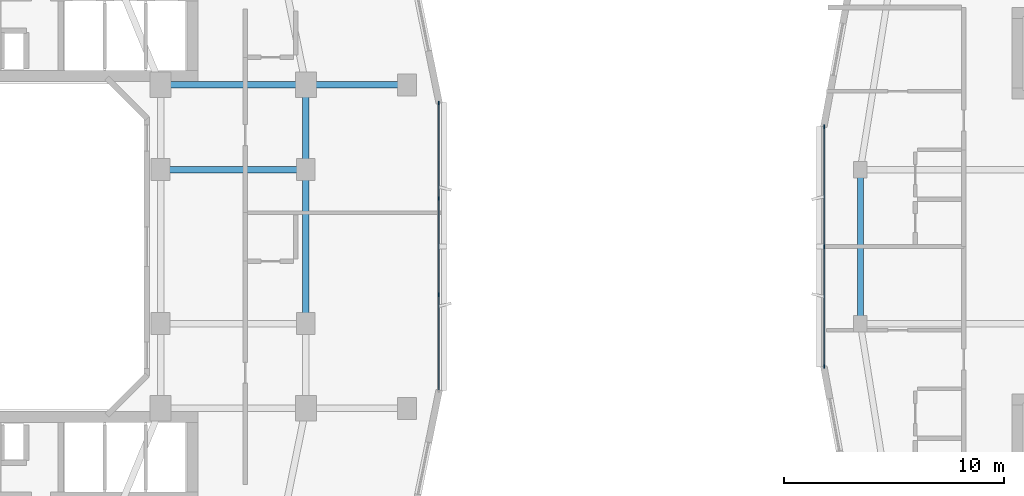
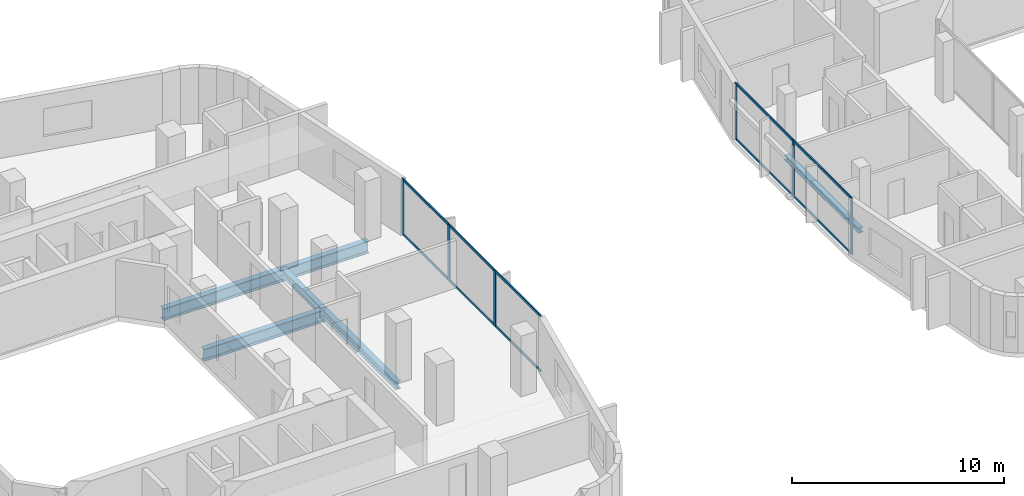
# One storey, part 5 of 25: 16 members, 6 beams, 2 elements without a shape of their own.
"""IFC4 building model written with IfcOpenShell, lengths in metres."""

from ifc_helpers import new_model, si_unit, derived_unit, direction, frame, origin, origin_2d, place, context, subcontext, project, spatial, rectangle, i_section, extrude, material, layer, layer_set, material_profile, profile_set, type_object, element, aggregate, save


model = new_model("IFC4")

# Units and contexts
model_context = context("Model", 3, precision=1e-05, world=origin(), true_north=direction((0.0, 1.0)))
body_context = subcontext(model_context, "Body", "Model", "MODEL_VIEW")
ifc_project = project(units=[si_unit("LENGTHUNIT", "METRE"), si_unit("AREAUNIT", "SQUARE_METRE"), si_unit("VOLUMEUNIT", "CUBIC_METRE"), si_unit("PLANEANGLEUNIT", "RADIAN"), si_unit("MASSUNIT", "GRAM", prefix="KILO"), derived_unit("THERMALTRANSMITTANCEUNIT", [(si_unit("POWERUNIT", "WATT"), 1), (si_unit("LENGTHUNIT", "METRE"), -2), (si_unit("THERMODYNAMICTEMPERATUREUNIT", "KELVIN"), -1)])], contexts=[model_context])

# Site, building, storey
site_placement = place(None, origin())
site = spatial("IfcSite", under=ifc_project, at=site_placement, CompositionType="ELEMENT")
building_placement = place(site_placement, origin())
building = spatial("IfcBuilding", under=site, at=building_placement, Name="Kivonza Crest Hotel", CompositionType="ELEMENT")
storey_placement = place(building_placement, frame((0.0, 0.0, 83.5)))
storey = spatial("IfcBuildingStorey", under=building, at=storey_placement, Name="L22", CompositionType="ELEMENT", Elevation=83.5)

# Beams
ifc_material_1 = material(Name="Steel S355", Category="steel")
ifc_material_profile_1 = material_profile(ifc_material_1, i_section(OverallWidth=0.280029296875, OverallDepth=0.280029296875, WebThickness=0.010498046875, FlangeThickness=0.01806640625, FilletRadius=0.02392578125, at=origin_2d()), Name="HEB 280")
ifc_profile_set_1 = profile_set([ifc_material_profile_1], Name="Steel S355")
beam_type_1 = type_object("IfcBeamType", Name="BM-HEB280", PredefinedType="SPANDREL", material=ifc_profile_set_1)
beam_1_placement = place(storey_placement, frame((61.0, 28.5, -0.389892578125), z_axis=(0.0, -1.0, 0.0), x_axis=(1.0, 0.0, 0.0)))
element("IfcBeam", 1, at=beam_1_placement, inside=storey, type_object=beam_type_1, Name="Companion Tower T2 L22 perimeter spandrel W2-W1", PredefinedType="SPANDREL", context=body_context, shape_type="SweptSolid", body=[
    extrude(i_section(OverallWidth=0.280029296875, OverallDepth=0.280029296875, WebThickness=0.010498046875, FlangeThickness=0.01806640625, FilletRadius=0.02392578125, at=origin_2d()), origin(), (0.0, 0.0, 1.0), 7.0),
])
ifc_material_profile_2 = material_profile(ifc_material_1, i_section(OverallWidth=0.300048828125, OverallDepth=0.449951171875, WebThickness=0.013916015625, FlangeThickness=0.02587890625, FilletRadius=0.027099609375, at=origin_2d()), Name="HEB 450")
ifc_profile_set_2 = profile_set([ifc_material_profile_2], Name="Steel S355")
beam_type_2 = type_object("IfcBeamType", Name="BM-HEB450", PredefinedType="SPANDREL", material=ifc_profile_set_2)
beam_2_placement = place(storey_placement, frame((35.800048828125, 21.5, -0.5048828125), z_axis=(0.0, 1.0, 0.0), x_axis=(-1.0, 0.0, 0.0)))
element("IfcBeam", 2, at=beam_2_placement, inside=storey, type_object=beam_type_2, Name="Tower T1 L22 perimeter spandrel E1-E2", PredefinedType="SPANDREL", context=body_context, shape_type="SweptSolid", body=[
    extrude(i_section(OverallWidth=0.300048828125, OverallDepth=0.449951171875, WebThickness=0.013916015625, FlangeThickness=0.02587890625, FilletRadius=0.027099609375, at=origin_2d()), origin(), (0.0, 0.0, 1.0), 7.0),
])
beam_3_placement = place(storey_placement, frame((35.800048828125, 28.5, -0.5048828125), z_axis=(0.0, 1.0, 0.0), x_axis=(-1.0, 0.0, 0.0)))
element("IfcBeam", 3, at=beam_3_placement, inside=storey, type_object=beam_type_2, Name="Tower T1 L22 perimeter spandrel E2-PNE", PredefinedType="SPANDREL", context=body_context, shape_type="SweptSolid", body=[
    extrude(i_section(OverallWidth=0.300048828125, OverallDepth=0.449951171875, WebThickness=0.013916015625, FlangeThickness=0.02587890625, FilletRadius=0.027099609375, at=origin_2d()), origin(), (0.0, 0.0, 1.0), 3.85009765625),
])
ifc_material_profile_3 = material_profile(ifc_material_1, i_section(OverallWidth=0.300048828125, OverallDepth=0.699951171875, WebThickness=0.01708984375, FlangeThickness=0.031982421875, FilletRadius=0.027099609375, at=origin_2d()), Name="HEB 700")
ifc_profile_set_3 = profile_set([ifc_material_profile_3], Name="Steel S355")
beam_type_3 = type_object("IfcBeamType", Name="BM-HEB700", PredefinedType="BEAM", material=ifc_profile_set_3)
for number, where, z_axis, x_axis, name in (
    (4, (29.199951171875, 32.35009765625, -0.6298828125), (1.0, 0.0, 0.0), (0.0, 1.0, 0.0), "Tower T1 L22 primary girder TNE-PNE"),
    (5, (29.199951171875, 28.5, -0.6298828125), (1.0, 0.0, 0.0), (0.0, 1.0, 0.0), "Tower T1 L22 primary girder WR2-E2"),
):
    element("IfcBeam", number, at=place(storey_placement, frame(where, z_axis=z_axis, x_axis=x_axis)), inside=storey, type_object=beam_type_3, Name=name, PredefinedType="BEAM", context=body_context, shape_type="SweptSolid", body=[
        extrude(i_section(OverallWidth=0.300048828125, OverallDepth=0.699951171875, WebThickness=0.01708984375, FlangeThickness=0.031982421875, FilletRadius=0.027099609375, at=origin_2d()), origin(), (0.0, 0.0, 1.0), 6.60009765625),
    ])
beam_4_placement = place(storey_placement, frame((40.39990234375, 32.35009765625, -0.6298828125), z_axis=(-1.0, 0.0, 0.0), x_axis=(0.0, -1.0, 0.0)))
element("IfcBeam", 6, at=beam_4_placement, inside=storey, type_object=beam_type_3, Name="Tower T1 L22 outer bay girder ZE2", PredefinedType="BEAM", context=body_context, shape_type="SweptSolid", body=[
    extrude(i_section(OverallWidth=0.300048828125, OverallDepth=0.699951171875, WebThickness=0.01708984375, FlangeThickness=0.031982421875, FilletRadius=0.027099609375, at=origin_2d()), origin(), (0.0, 0.0, 1.0), 4.599853515625),
])

# Curtain wall, members
ifc_material_2 = material(Name="Anodised bronze aluminium and low-E double glazing", Category="aluminium")
ifc_layer_1 = layer(ifc_material_2, 0.179931640625)
ifc_layer_set_1 = layer_set([ifc_layer_1], Name="Anodised bronze aluminium and low-E double glazing")
curtain_wall_type_1 = type_object("IfcCurtainWallType", Name="CW-SYS-2", PredefinedType="NOTDEFINED", material=ifc_layer_set_1)
curtain_wall_1_placement = place(storey_placement, origin())
curtain_wall_1 = element("IfcCurtainWall", 7, at=curtain_wall_1_placement, inside=storey, type_object=curtain_wall_type_1, Name="L22 unitised curtain wall CW-T1-L22-17", PredefinedType="NOTDEFINED")
ifc_material_3 = material(Name="Anodised bronze aluminium", Category="aluminium")
ifc_material_profile_4 = material_profile(ifc_material_3, rectangle(XDim=0.06494140625, YDim=0.179931640625, at=origin_2d()), Name="CW-M 65x180")
ifc_profile_set_4 = profile_set([ifc_material_profile_4], Name="Anodised bronze aluminium")
member_type_1 = type_object("IfcMemberType", Name="CW-MUL-65x180", PredefinedType="MULLION", material=ifc_profile_set_4)
member_1_placement = place(storey_placement, frame((41.840087890625, 22.813232421875, 0.0), z_axis=(0.0, 0.0, 1.0), x_axis=(-1.0, 0.0, 0.0)))
member_1 = element("IfcMember", 8, at=member_1_placement, type_object=member_type_1, Name="CW-2 mullion 2", PredefinedType="MULLION", context=body_context, shape_type="SweptSolid", body=[
    extrude(rectangle(XDim=0.06494140625, YDim=0.179931640625, at=origin_2d()), origin(), (0.0, 0.0, 1.0), 3.219970703125),
])
member_2_placement = place(storey_placement, frame((41.840087890625, 27.186767578125, 0.0), z_axis=(0.0, 0.0, 1.0), x_axis=(-1.0, 0.0, 0.0)))
member_2 = element("IfcMember", 9, at=member_2_placement, type_object=member_type_1, Name="CW-2 mullion 3", PredefinedType="MULLION", context=body_context, shape_type="SweptSolid", body=[
    extrude(rectangle(XDim=0.06494140625, YDim=0.179931640625, at=origin_2d()), origin(), (0.0, 0.0, 1.0), 3.219970703125),
])
member_3_placement = place(storey_placement, frame((41.840087890625, 31.527587890625, 0.0), z_axis=(0.0, 0.0, 1.0), x_axis=(-1.0, 0.0, 0.0)))
member_3 = element("IfcMember", 10, at=member_3_placement, type_object=member_type_1, Name="CW-2 mullion 4", PredefinedType="MULLION", context=body_context, shape_type="SweptSolid", body=[
    extrude(rectangle(XDim=0.06494140625, YDim=0.179931640625, at=origin_2d()), origin(), (0.0, 0.0, 1.0), 3.219970703125),
])

ifc_layer_2 = layer(ifc_material_2, 0.179931640625)
ifc_layer_set_2 = layer_set([ifc_layer_2], Name="Anodised bronze aluminium and low-E double glazing")
curtain_wall_type_2 = type_object("IfcCurtainWallType", Name="CW-SYS-4", PredefinedType="NOTDEFINED", material=ifc_layer_set_2)
curtain_wall_2_placement = place(storey_placement, origin())
curtain_wall_2 = element("IfcCurtainWall", 11, at=curtain_wall_2_placement, inside=storey, type_object=curtain_wall_type_2, Name="L22 unitised curtain wall CW-T2-L22-35", PredefinedType="NOTDEFINED")
member_4_placement = place(storey_placement, frame((59.360107421875, 30.447509765625, 0.0), z_axis=(0.0, 0.0, 1.0), x_axis=(1.0, 0.0, 0.0)))
member_4 = element("IfcMember", 12, at=member_4_placement, type_object=member_type_1, Name="CW-4 mullion 1", PredefinedType="MULLION", context=body_context, shape_type="SweptSolid", body=[
    extrude(rectangle(XDim=0.06494140625, YDim=0.179931640625, at=origin_2d()), origin(), (0.0, 0.0, 1.0), 3.25),
])
member_5_placement = place(storey_placement, frame((59.360107421875, 25.0, 0.0), z_axis=(0.0, 0.0, 1.0), x_axis=(1.0, 0.0, 0.0)))
member_5 = element("IfcMember", 13, at=member_5_placement, type_object=member_type_1, Name="CW-4 mullion 2", PredefinedType="MULLION", context=body_context, shape_type="SweptSolid", body=[
    extrude(rectangle(XDim=0.06494140625, YDim=0.179931640625, at=origin_2d()), origin(), (0.0, 0.0, 1.0), 3.25),
])
member_6_placement = place(storey_placement, frame((59.360107421875, 19.552490234375, 0.0), z_axis=(0.0, 0.0, 1.0), x_axis=(1.0, 0.0, 0.0)))
member_6 = element("IfcMember", 14, at=member_6_placement, type_object=member_type_1, Name="CW-4 mullion 3", PredefinedType="MULLION", context=body_context, shape_type="SweptSolid", body=[
    extrude(rectangle(XDim=0.06494140625, YDim=0.179931640625, at=origin_2d()), origin(), (0.0, 0.0, 1.0), 3.25),
])

# Member
ifc_material_profile_5 = material_profile(ifc_material_3, rectangle(XDim=0.06494140625, YDim=0.139892578125, at=origin_2d()), Name="CW-T 65x140")
ifc_profile_set_5 = profile_set([ifc_material_profile_5], Name="Anodised bronze aluminium")
member_type_2 = type_object("IfcMemberType", Name="CW-TRN-65x140", PredefinedType="USERDEFINED", material=ifc_profile_set_5)
member_7_placement = place(storey_placement, frame((41.840087890625, 18.5048828125, 0.032470703125), z_axis=(0.0, 1.0, 0.0), x_axis=(-1.0, 0.0, 0.0)))
member_7 = element("IfcMember", 15, at=member_7_placement, type_object=member_type_2, Name="CW-2 transom 1.1", ObjectType="TRANSOM", PredefinedType="USERDEFINED", context=body_context, shape_type="SweptSolid", body=[
    extrude(rectangle(XDim=0.06494140625, YDim=0.139892578125, at=origin_2d()), origin(), (0.0, 0.0, 1.0), 4.27587890625),
])

member_8_placement = place(storey_placement, frame((41.840087890625, 18.5048828125, 3.1875), z_axis=(0.0, 1.0, 0.0), x_axis=(-1.0, 0.0, 0.0)))
member_8 = element("IfcMember", 16, at=member_8_placement, type_object=member_type_2, Name="CW-2 transom 1.2", ObjectType="TRANSOM", PredefinedType="USERDEFINED", context=body_context, shape_type="SweptSolid", body=[
    extrude(rectangle(XDim=0.06494140625, YDim=0.139892578125, at=origin_2d()), origin(), (0.0, 0.0, 1.0), 4.27587890625),
])

member_9_placement = place(storey_placement, frame((41.840087890625, 22.845947265625, 0.032470703125), z_axis=(0.0, 1.0, 0.0), x_axis=(-1.0, 0.0, 0.0)))
member_9 = element("IfcMember", 17, at=member_9_placement, type_object=member_type_2, Name="CW-2 transom 2.1", ObjectType="TRANSOM", PredefinedType="USERDEFINED", context=body_context, shape_type="SweptSolid", body=[
    extrude(rectangle(XDim=0.06494140625, YDim=0.139892578125, at=origin_2d()), origin(), (0.0, 0.0, 1.0), 4.30810546875),
])

member_10_placement = place(storey_placement, frame((41.840087890625, 22.845947265625, 3.1875), z_axis=(0.0, 1.0, 0.0), x_axis=(-1.0, 0.0, 0.0)))
member_10 = element("IfcMember", 18, at=member_10_placement, type_object=member_type_2, Name="CW-2 transom 2.2", ObjectType="TRANSOM", PredefinedType="USERDEFINED", context=body_context, shape_type="SweptSolid", body=[
    extrude(rectangle(XDim=0.06494140625, YDim=0.139892578125, at=origin_2d()), origin(), (0.0, 0.0, 1.0), 4.30810546875),
])

member_11_placement = place(storey_placement, frame((41.840087890625, 27.21923828125, 0.032470703125), z_axis=(0.0, 1.0, 0.0), x_axis=(-1.0, 0.0, 0.0)))
member_11 = element("IfcMember", 19, at=member_11_placement, type_object=member_type_2, Name="CW-2 transom 3.1", ObjectType="TRANSOM", PredefinedType="USERDEFINED", context=body_context, shape_type="SweptSolid", body=[
    extrude(rectangle(XDim=0.06494140625, YDim=0.139892578125, at=origin_2d()), origin(), (0.0, 0.0, 1.0), 4.27587890625),
])

member_12_placement = place(storey_placement, frame((41.840087890625, 27.21923828125, 3.1875), z_axis=(0.0, 1.0, 0.0), x_axis=(-1.0, 0.0, 0.0)))
member_12 = element("IfcMember", 20, at=member_12_placement, type_object=member_type_2, Name="CW-2 transom 3.2", ObjectType="TRANSOM", PredefinedType="USERDEFINED", context=body_context, shape_type="SweptSolid", body=[
    extrude(rectangle(XDim=0.06494140625, YDim=0.139892578125, at=origin_2d()), origin(), (0.0, 0.0, 1.0), 4.27587890625),
])

aggregate(curtain_wall_1, [member_1, member_2, member_3, member_7, member_8, member_9, member_10, member_11, member_12])

member_13_placement = place(storey_placement, frame((59.360107421875, 30.4150390625, 0.032470703125), z_axis=(0.0, -1.0, 0.0), x_axis=(1.0, 0.0, 0.0)))
member_13 = element("IfcMember", 21, at=member_13_placement, type_object=member_type_2, Name="CW-4 transom 1.1", ObjectType="TRANSOM", PredefinedType="USERDEFINED", context=body_context, shape_type="SweptSolid", body=[
    extrude(rectangle(XDim=0.06494140625, YDim=0.139892578125, at=origin_2d()), origin(), (0.0, 0.0, 1.0), 5.382568359375),
])

member_14_placement = place(storey_placement, frame((59.360107421875, 30.4150390625, 3.217529296875), z_axis=(0.0, -1.0, 0.0), x_axis=(1.0, 0.0, 0.0)))
member_14 = element("IfcMember", 22, at=member_14_placement, type_object=member_type_2, Name="CW-4 transom 1.2", ObjectType="TRANSOM", PredefinedType="USERDEFINED", context=body_context, shape_type="SweptSolid", body=[
    extrude(rectangle(XDim=0.06494140625, YDim=0.139892578125, at=origin_2d()), origin(), (0.0, 0.0, 1.0), 5.382568359375),
])

member_15_placement = place(storey_placement, frame((59.360107421875, 24.967529296875, 0.032470703125), z_axis=(0.0, -1.0, 0.0), x_axis=(1.0, 0.0, 0.0)))
member_15 = element("IfcMember", 23, at=member_15_placement, type_object=member_type_2, Name="CW-4 transom 2.1", ObjectType="TRANSOM", PredefinedType="USERDEFINED", context=body_context, shape_type="SweptSolid", body=[
    extrude(rectangle(XDim=0.06494140625, YDim=0.139892578125, at=origin_2d()), origin(), (0.0, 0.0, 1.0), 5.382568359375),
])

member_16_placement = place(storey_placement, frame((59.360107421875, 24.967529296875, 3.217529296875), z_axis=(0.0, -1.0, 0.0), x_axis=(1.0, 0.0, 0.0)))
member_16 = element("IfcMember", 24, at=member_16_placement, type_object=member_type_2, Name="CW-4 transom 2.2", ObjectType="TRANSOM", PredefinedType="USERDEFINED", context=body_context, shape_type="SweptSolid", body=[
    extrude(rectangle(XDim=0.06494140625, YDim=0.139892578125, at=origin_2d()), origin(), (0.0, 0.0, 1.0), 5.382568359375),
])

aggregate(curtain_wall_2, [member_4, member_5, member_6, member_13, member_14, member_15, member_16])

save(model, "model.ifc")
